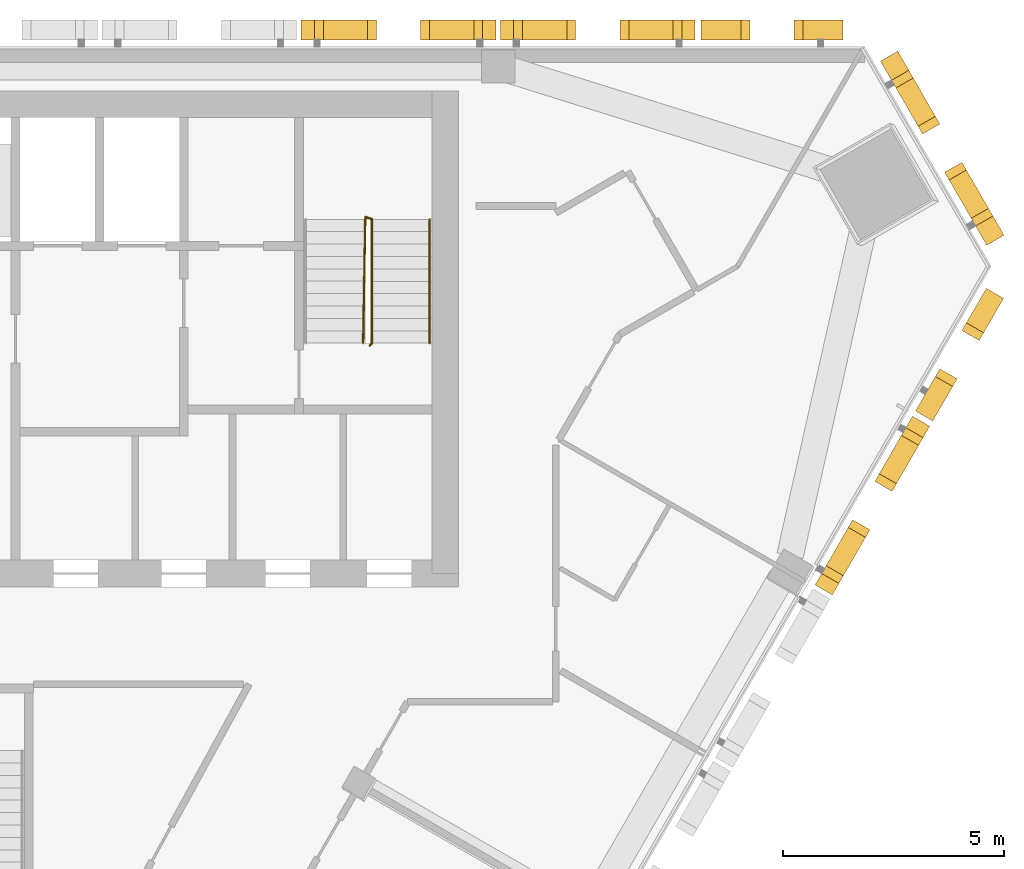
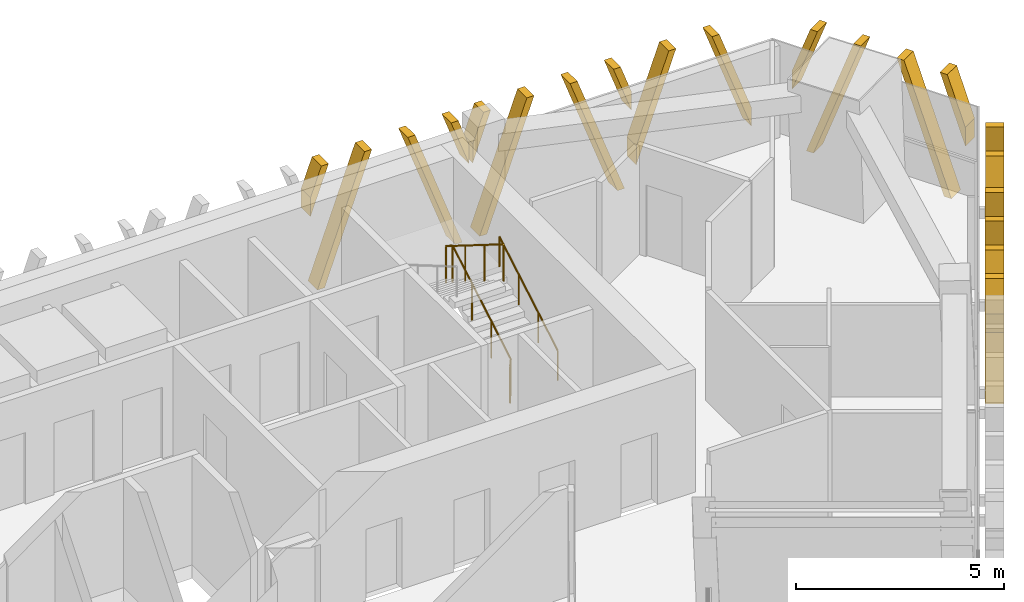
# One storey, part 13 of 14: 6 shading devices, 2 railings.
"""IFC4 building model written with IfcOpenShell, lengths in metres."""

from ifc_helpers import new_model, si_unit, direction, frame, origin, origin_2d, place, context, subcontext, project, spatial, polyline, circle, outline, extrude, source, transform, mapped, material, type_object, element, save


model = new_model("IFC4")

# Units and contexts
model_context = context("Model", 3, precision=1e-05, world=origin(), true_north=direction((0.0, 1.0)))
body_context = subcontext(model_context, "Body", "Model", "MODEL_VIEW")
ifc_project = project(units=[si_unit("LENGTHUNIT", "METRE"), si_unit("AREAUNIT", "SQUARE_METRE"), si_unit("VOLUMEUNIT", "CUBIC_METRE"), si_unit("PLANEANGLEUNIT", "RADIAN"), si_unit("MASSUNIT", "GRAM", prefix="KILO")], contexts=[model_context])

# Site, building, storey
site_placement = place(None, origin())
site = spatial("IfcSite", under=ifc_project, at=site_placement, CompositionType="ELEMENT")
building_placement = place(site_placement, origin())
building = spatial("IfcBuilding", under=site, at=building_placement, Name="Altiplano Prism Tower", CompositionType="ELEMENT")
storey_placement = place(building_placement, frame((0.0, 0.0, 226.60009765625)))
storey = spatial("IfcBuildingStorey", under=building, at=storey_placement, Name="L58", CompositionType="ELEMENT", Elevation=226.60009765625)

# Railings
ifc_material_1 = material(Name="Steel S355", Category="steel")
railing_type_1 = type_object("IfcRailingType", Name="Stair guard 1100", PredefinedType="GUARDRAIL", material=ifc_material_1)
railing_1_placement = place(storey_placement, frame((95.60009765625, 98.25, 0.0)))
element("IfcRailing", 1, at=railing_1_placement, inside=storey, type_object=railing_type_1, Name="L58 ST2 stair guard 1", PredefinedType="GUARDRAIL", context=body_context, shape_type="SweptSolid", body=[
    extrude(circle(Radius=0.02392578125, at=origin_2d()), frame((0.0, 0.0, 1.076171875), z_axis=(0.279546231943, 0.280916556609, 0.91811752648), x_axis=(-0.708833529934, 0.705375805398, 0.0)), (0.0, 0.0, 1.0), 0.17822265625),
    extrude(circle(Radius=0.02392578125, at=origin_2d()), frame((0.0498046875, 0.050048828125, 1.23974609375), z_axis=(0.0, 0.863393664356, 0.504530851732), x_axis=(-1.0, 0.0, 0.0)), (0.0, 0.0, 1.0), 3.2431640625),
    extrude(circle(Radius=0.02392578125, at=origin_2d()), frame((0.0498046875, 2.85009765625, 2.8759765625), z_axis=(-0.948991962702, 0.315300261223, 0.0), x_axis=(-0.315300261223, -0.948991962702, 0.0)), (0.0, 0.0, 1.0), 0.157958984375),
    extrude(circle(Radius=0.02392578125, at=origin_2d()), frame((-0.10009765625, 2.89990234375, 2.8759765625), z_axis=(-0.014846418356, -0.845376787675, 0.533964109957), x_axis=(0.999845825584, -0.017559187376, 0.0)), (0.0, 0.0, 1.0), 3.37109375),
    extrude(circle(Radius=0.02099609375, at=origin_2d()), origin(), (0.0, 0.0, 1.0), 1.052001953125),
    extrude(circle(Radius=0.02099609375, at=origin_2d()), frame((0.0498046875, 0.050048828125, 0.16357421875)), (0.0, 0.0, 1.0), 1.052001953125),
    extrude(circle(Radius=0.02099609375, at=origin_2d()), frame((0.0498046875, 0.9833984375, 0.708984375)), (0.0, 0.0, 1.0), 1.052001953125),
    extrude(circle(Radius=0.02099609375, at=origin_2d()), frame((0.0498046875, 1.916748046875, 1.25439453125)), (0.0, 0.0, 1.0), 1.052001953125),
    extrude(circle(Radius=0.02099609375, at=origin_2d()), frame((0.0498046875, 2.85009765625, 1.7998046875)), (0.0, 0.0, 1.0), 1.052001953125),
    extrude(circle(Radius=0.02099609375, at=origin_2d()), frame((-0.10009765625, 2.89990234375, 1.7998046875)), (0.0, 0.0, 1.0), 1.052001953125),
    extrude(circle(Radius=0.02099609375, at=origin_2d()), frame((-0.11669921875, 1.949951171875, 2.39990234375)), (0.0, 0.0, 1.0), 1.052001953125),
    extrude(circle(Radius=0.02099609375, at=origin_2d()), frame((-0.133544921875, 1.0, 2.999755859375)), (0.0, 0.0, 1.0), 1.052001953125),
    extrude(circle(Radius=0.02099609375, at=origin_2d()), frame((-0.150146484375, 0.050048828125, 3.599853515625)), (0.0, 0.0, 1.0), 1.052001953125),
])
railing_type_2 = type_object("IfcRailingType", Name="Stair handrail 900", PredefinedType="HANDRAIL", material=ifc_material_1)
railing_2_placement = place(storey_placement, frame((96.949951171875, 98.300048828125, 0.16357421875)))
element("IfcRailing", 2, at=railing_2_placement, inside=storey, type_object=railing_type_2, Name="L58 ST2 stair handrail 1", PredefinedType="HANDRAIL", context=body_context, shape_type="SweptSolid", body=[
    extrude(circle(Radius=0.02392578125, at=origin_2d()), frame((0.0, 0.0, 0.8759765625), z_axis=(0.0, 0.863393664356, 0.504530851732), x_axis=(-1.0, 0.0, 0.0)), (0.0, 0.0, 1.0), 3.2431640625),
    extrude(circle(Radius=0.02099609375, at=origin_2d()), origin(), (0.0, 0.0, 1.0), 0.851806640625),
    extrude(circle(Radius=0.02099609375, at=origin_2d()), frame((0.0, 0.933349609375, 0.54541015625)), (0.0, 0.0, 1.0), 0.851806640625),
    extrude(circle(Radius=0.02099609375, at=origin_2d()), frame((0.0, 1.86669921875, 1.0908203125)), (0.0, 0.0, 1.0), 0.851806640625),
    extrude(circle(Radius=0.02099609375, at=origin_2d()), frame((0.0, 2.800048828125, 1.63623046875)), (0.0, 0.0, 1.0), 0.851806640625),
])

# Shading devices
ifc_material_2 = material(Name="Warm limestone cast stone", Category="masonry")
shading_device_type_1 = type_object("IfcShadingDeviceType", Name="Stone fin panel, narrow closing bay", PredefinedType="USERDEFINED", material=ifc_material_2)
shared_shape_1 = source(origin(), body_context, "Body", "SweptSolid", [
    extrude(outline(polyline([(-1.60009765625, 0.577880859375), (-0.5, 3.60009765625), (-0.699951171875, 3.60009765625), (-1.60009765625, 1.127197265625), (-1.60009765625, 0.577880859375)])), frame((0.0, -0.14990234375, 0.0), z_axis=(0.0, -1.0, 0.0), x_axis=(1.0, 0.0, 0.0)), (0.0, 0.0, 1.0), 0.4501953125),
    extrude(outline(polyline([(1.60009765625, 1.127197265625), (0.699951171875, 3.60009765625), (0.5, 3.60009765625), (1.60009765625, 0.577880859375), (1.60009765625, 1.127197265625)])), frame((0.0, -0.14990234375, 0.0), z_axis=(0.0, -1.0, 0.0), x_axis=(1.0, 0.0, 0.0)), (0.0, 0.0, 1.0), 0.4501953125),
])
shading_device_1_placement = place(storey_placement, origin())
element("IfcShadingDevice", 3, at=shading_device_1_placement, inside=storey, type_object=shading_device_type_1, Name="Fin L58 north face 1", ObjectType="FIN", PredefinedType="USERDEFINED", context=body_context, shape_type="MappedRepresentation", body=[
    mapped(shared_shape_1, transform((104.685302734375, 105.0, -0.400146484375), x_axis=(-1.0, 0.0, 0.0), y_axis=(0.0, -1.0, 0.0), z_axis=(0.0, 0.0, 1.0))),
])
shading_device_2_placement = place(storey_placement, origin())
element("IfcShadingDevice", 4, at=shading_device_2_placement, inside=storey, type_object=shading_device_type_1, Name="Fin L58 south-east face 10", ObjectType="FIN", PredefinedType="USERDEFINED", context=body_context, shape_type="MappedRepresentation", body=[
    mapped(shared_shape_1, transform((108.59423828125, 98.2294921875, -0.400146484375), x_axis=(0.500000003773, 0.866025401606, 0.0), y_axis=(-0.866025401606, 0.500000003773, 0.0), z_axis=(0.0, 0.0, 1.0))),
])
shading_device_type_2 = type_object("IfcShadingDeviceType", Name="Stone fin panel, standard unit", PredefinedType="USERDEFINED", material=ifc_material_2)
shared_shape_2 = source(origin(), body_context, "Body", "SweptSolid", [
    extrude(outline(polyline([(-2.199951171875, 2.226318359375), (-1.699951171875, 3.60009765625), (-1.89990234375, 3.60009765625), (-2.199951171875, 2.77587890625), (-2.199951171875, 2.226318359375)])), frame((0.0, -0.14990234375, 0.0), z_axis=(0.0, -1.0, 0.0), x_axis=(1.0, 0.0, 0.0)), (0.0, 0.0, 1.0), 0.4501953125),
    extrude(outline(polyline([(-2.01025390625, 0.0), (-1.810302734375, 0.0), (-0.5, 3.60009765625), (-0.699951171875, 3.60009765625), (-2.01025390625, 0.0)])), frame((0.0, -0.14990234375, 0.0), z_axis=(0.0, -1.0, 0.0), x_axis=(1.0, 0.0, 0.0)), (0.0, 0.0, 1.0), 0.4501953125),
    extrude(outline(polyline([(1.810302734375, 0.0), (2.01025390625, 0.0), (0.699951171875, 3.60009765625), (0.5, 3.60009765625), (1.810302734375, 0.0)])), frame((0.0, -0.14990234375, 0.0), z_axis=(0.0, -1.0, 0.0), x_axis=(1.0, 0.0, 0.0)), (0.0, 0.0, 1.0), 0.4501953125),
    extrude(outline(polyline([(2.199951171875, 2.77587890625), (1.89990234375, 3.60009765625), (1.699951171875, 3.60009765625), (2.199951171875, 2.226318359375), (2.199951171875, 2.77587890625)])), frame((0.0, -0.14990234375, 0.0), z_axis=(0.0, -1.0, 0.0), x_axis=(1.0, 0.0, 0.0)), (0.0, 0.0, 1.0), 0.4501953125),
])
shading_device_3_placement = place(storey_placement, origin())
element("IfcShadingDevice", 5, at=shading_device_3_placement, inside=storey, type_object=shading_device_type_2, Name="Fin L58 north face 2", ObjectType="FIN", PredefinedType="USERDEFINED", context=body_context, shape_type="MappedRepresentation", body=[
    mapped(shared_shape_2, transform((100.75, 105.0, -0.400146484375), x_axis=(-1.0, 0.0, 0.0), y_axis=(0.0, -1.0, 0.0), z_axis=(0.0, 0.0, 1.0))),
])
shading_device_4_placement = place(storey_placement, origin())
element("IfcShadingDevice", 6, at=shading_device_4_placement, inside=storey, type_object=shading_device_type_2, Name="Fin L58 north face 3", ObjectType="FIN", PredefinedType="USERDEFINED", context=body_context, shape_type="MappedRepresentation", body=[
    mapped(shared_shape_2, transform((96.25, 105.0, -0.400146484375), x_axis=(-1.0, 0.0, 0.0), y_axis=(0.0, -1.0, 0.0), z_axis=(0.0, 0.0, 1.0))),
])
shading_device_5_placement = place(storey_placement, origin())
element("IfcShadingDevice", 7, at=shading_device_5_placement, inside=storey, type_object=shading_device_type_2, Name="Fin L58 south-east face 9", ObjectType="FIN", PredefinedType="USERDEFINED", context=body_context, shape_type="MappedRepresentation", body=[
    mapped(shared_shape_2, transform((106.62646484375, 94.821533203125, -0.400146484375), x_axis=(0.500000003773, 0.866025401606, 0.0), y_axis=(-0.866025401606, 0.500000003773, 0.0), z_axis=(0.0, 0.0, 1.0))),
])
shading_device_type_3 = type_object("IfcShadingDeviceType", Name="Stone fin panel, chamfer unit", PredefinedType="USERDEFINED", material=ifc_material_2)
shared_shape_3 = source(origin(), body_context, "Body", "SweptSolid", [
    extrude(outline(polyline([(-2.39990234375, 1.6767578125), (-1.699951171875, 3.60009765625), (-1.89990234375, 3.60009765625), (-2.39990234375, 2.226318359375), (-2.39990234375, 1.6767578125)])), frame((0.0, -0.14990234375, 0.0), z_axis=(0.0, -1.0, 0.0), x_axis=(1.0, 0.0, 0.0)), (0.0, 0.0, 1.0), 0.4501953125),
    extrude(outline(polyline([(-2.01025390625, 0.0), (-1.810302734375, 0.0), (-0.5, 3.60009765625), (-0.699951171875, 3.60009765625), (-2.01025390625, 0.0)])), frame((0.0, -0.14990234375, 0.0), z_axis=(0.0, -1.0, 0.0), x_axis=(1.0, 0.0, 0.0)), (0.0, 0.0, 1.0), 0.4501953125),
    extrude(outline(polyline([(1.810302734375, 0.0), (2.01025390625, 0.0), (0.699951171875, 3.60009765625), (0.5, 3.60009765625), (1.810302734375, 0.0)])), frame((0.0, -0.14990234375, 0.0), z_axis=(0.0, -1.0, 0.0), x_axis=(1.0, 0.0, 0.0)), (0.0, 0.0, 1.0), 0.4501953125),
    extrude(outline(polyline([(2.39990234375, 2.226318359375), (1.89990234375, 3.60009765625), (1.699951171875, 3.60009765625), (2.39990234375, 1.6767578125), (2.39990234375, 2.226318359375)])), frame((0.0, -0.14990234375, 0.0), z_axis=(0.0, -1.0, 0.0), x_axis=(1.0, 0.0, 0.0)), (0.0, 0.0, 1.0), 0.4501953125),
])
shading_device_6_placement = place(storey_placement, origin())
element("IfcShadingDevice", 8, at=shading_device_6_placement, inside=storey, type_object=shading_device_type_3, Name="Fin L58 north-east chamfer 1", ObjectType="FIN", PredefinedType="USERDEFINED", context=body_context, shape_type="MappedRepresentation", body=[
    mapped(shared_shape_3, transform((108.203857421875, 102.517822265625, -0.400146484375), x_axis=(-0.499999994858, 0.866025406753, 0.0), y_axis=(-0.866025406753, -0.499999994858, 0.0), z_axis=(0.0, 0.0, 1.0))),
])

save(model, "model.ifc")
